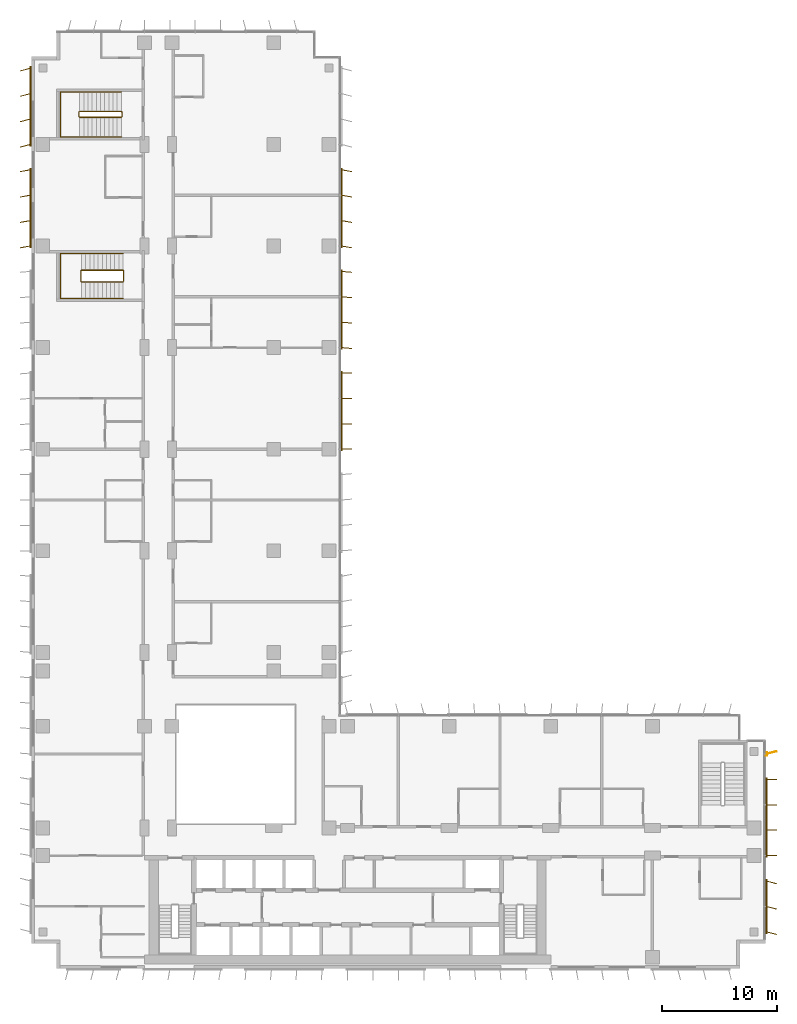
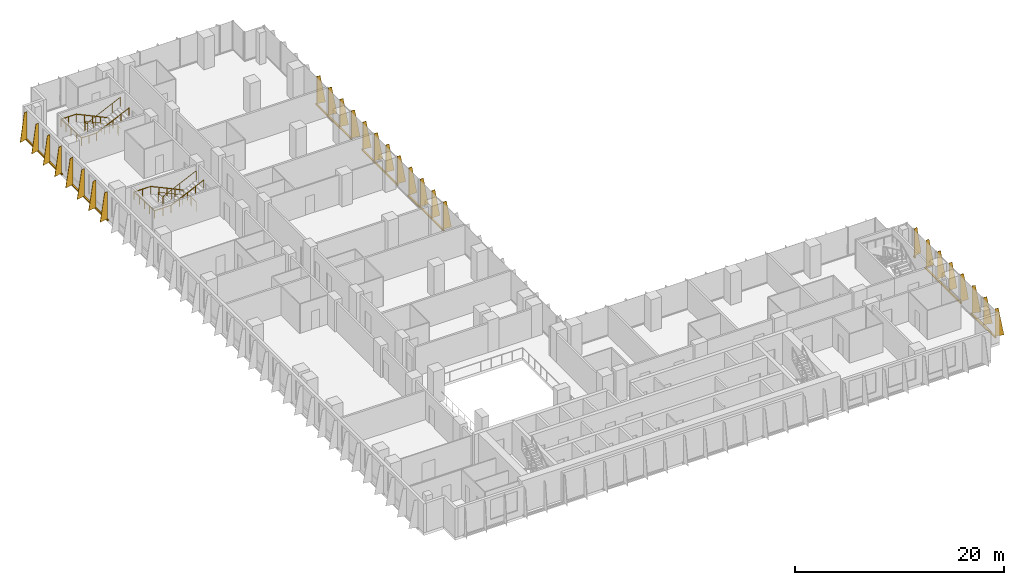
# One storey, part 21 of 22: 8 shading devices, 4 railings.
"""IFC4 building model written with IfcOpenShell, lengths in metres."""

from ifc_helpers import new_model, si_unit, direction, frame, origin, origin_2d, place, context, subcontext, project, spatial, polyline, rectangle, circle, outline, extrude, source, transform, mapped, material, layer, layer_set, type_object, element, save


model = new_model("IFC4")

# Units and contexts
model_context = context("Model", 3, precision=1e-05, world=origin(), true_north=direction((0.0, 1.0)))
body_context = subcontext(model_context, "Body", "Model", "MODEL_VIEW")
ifc_project = project(units=[si_unit("LENGTHUNIT", "METRE"), si_unit("AREAUNIT", "SQUARE_METRE"), si_unit("VOLUMEUNIT", "CUBIC_METRE"), si_unit("PLANEANGLEUNIT", "RADIAN"), si_unit("MASSUNIT", "GRAM", prefix="KILO")], contexts=[model_context])

# Site, building, storey
site_placement = place(None, origin())
site = spatial("IfcSite", under=ifc_project, at=site_placement, CompositionType="ELEMENT")
building_placement = place(site_placement, origin())
building = spatial("IfcBuilding", under=site, at=building_placement, Name="Kemantara Hotel Tower", CompositionType="ELEMENT")
storey_placement = place(building_placement, frame((0.0, 0.0, 125.89990234375)))
storey = spatial("IfcBuildingStorey", under=building, at=storey_placement, Name="L30", CompositionType="ELEMENT", Elevation=125.89990234375)

# Railings
ifc_material_1 = material(Name="Stainless steel balustrade", Category="steel")
railing_type_1 = type_object("IfcRailingType", Name="Stair guard 1100 mm", PredefinedType="GUARDRAIL", material=ifc_material_1)
railing_1_placement = place(storey_placement, frame((7.949951171875, 59.5, 3.7001953125)))
element("IfcRailing", 1, at=railing_1_placement, inside=storey, type_object=railing_type_1, Name="L30 ST4 stair guard 1", PredefinedType="GUARDRAIL", context=body_context, shape_type="SweptSolid", body=[
    extrude(circle(Radius=0.02392578125, at=origin_2d()), frame((0.0, 0.0, 1.076171875), z_axis=(-0.905994681025, 0.0, -0.423289071386), x_axis=(0.0, -1.0, 0.0)), (0.0, 0.0, 1.0), 3.973388671875),
    extrude(circle(Radius=0.02392578125, at=origin_2d()), frame((-3.599853515625, 0.0, -0.60595703125), z_axis=(-0.274243871929, 0.274243871929, -0.92172696468), x_axis=(-0.707106781187, -0.707106781187, 0.0)), (0.0, 0.0, 1.0), 0.1826171875),
    extrude(circle(Radius=0.02392578125, at=origin_2d()), frame((-3.64990234375, 0.050048828125, -0.77392578125), z_axis=(0.0, 1.0, 0.0), x_axis=(-1.0, 0.0, 0.0)), (0.0, 0.0, 1.0), 0.89990234375),
    extrude(circle(Radius=0.02392578125, at=origin_2d()), frame((-3.64990234375, 0.949951171875, -0.77392578125), z_axis=(0.707106781187, 0.707106781187, 0.0), x_axis=(-0.707106781187, 0.707106781187, 0.0)), (0.0, 0.0, 1.0), 0.07080078125),
    extrude(circle(Radius=0.02392578125, at=origin_2d()), frame((-3.599853515625, 1.0, -0.77392578125), z_axis=(0.905994681025, 0.0, -0.423289071386), x_axis=(0.0, 1.0, 0.0)), (0.0, 0.0, 1.0), 3.973388671875),
    extrude(circle(Radius=0.02392578125, at=origin_2d()), frame((0.0, 1.0, -2.4560546875), z_axis=(0.274243871929, -0.274243871929, -0.92172696468), x_axis=(0.707106781187, 0.707106781187, 0.0)), (0.0, 0.0, 1.0), 0.1826171875),
    extrude(circle(Radius=0.02392578125, at=origin_2d()), frame((0.050048828125, 0.949951171875, -2.6240234375), z_axis=(0.0, -1.0, 0.0), x_axis=(1.0, 0.0, 0.0)), (0.0, 0.0, 1.0), 0.89990234375),
    extrude(circle(Radius=0.02099609375, at=origin_2d()), origin(), (0.0, 0.0, 1.0), 1.052001953125),
    extrude(circle(Radius=0.02099609375, at=origin_2d()), frame((-0.89990234375, 0.0, -0.42041015625)), (0.0, 0.0, 1.0), 1.052001953125),
    extrude(circle(Radius=0.02099609375, at=origin_2d()), frame((-1.7998046875, 0.0, -0.8408203125)), (0.0, 0.0, 1.0), 1.052001953125),
    extrude(circle(Radius=0.02099609375, at=origin_2d()), frame((-2.699951171875, 0.0, -1.261474609375)), (0.0, 0.0, 1.0), 1.052001953125),
    extrude(circle(Radius=0.02099609375, at=origin_2d()), frame((-3.599853515625, 0.0, -1.681884765625)), (0.0, 0.0, 1.0), 1.052001953125),
    extrude(circle(Radius=0.02099609375, at=origin_2d()), frame((-3.64990234375, 0.050048828125, -1.85009765625)), (0.0, 0.0, 1.0), 1.052001953125),
    extrude(circle(Radius=0.02099609375, at=origin_2d()), frame((-3.64990234375, 0.949951171875, -1.85009765625)), (0.0, 0.0, 1.0), 1.052001953125),
    extrude(circle(Radius=0.02099609375, at=origin_2d()), frame((-3.599853515625, 1.0, -1.85009765625)), (0.0, 0.0, 1.0), 1.052001953125),
    extrude(circle(Radius=0.02099609375, at=origin_2d()), frame((-2.699951171875, 1.0, -2.2705078125)), (0.0, 0.0, 1.0), 1.052001953125),
    extrude(circle(Radius=0.02099609375, at=origin_2d()), frame((-1.7998046875, 1.0, -2.69091796875)), (0.0, 0.0, 1.0), 1.052001953125),
    extrude(circle(Radius=0.02099609375, at=origin_2d()), frame((-0.89990234375, 1.0, -3.111572265625)), (0.0, 0.0, 1.0), 1.052001953125),
    extrude(circle(Radius=0.02099609375, at=origin_2d()), frame((0.0, 1.0, -3.531982421875)), (0.0, 0.0, 1.0), 1.052001953125),
    extrude(circle(Radius=0.02099609375, at=origin_2d()), frame((0.050048828125, 0.949951171875, -3.7001953125)), (0.0, 0.0, 1.0), 1.052001953125),
    extrude(circle(Radius=0.02099609375, at=origin_2d()), frame((0.050048828125, 0.050048828125, -3.7001953125)), (0.0, 0.0, 1.0), 1.052001953125),
])
railing_2_placement = place(storey_placement, frame((7.800048828125, 73.75, 3.7001953125)))
element("IfcRailing", 2, at=railing_2_placement, inside=storey, type_object=railing_type_1, Name="L30 ST6 stair guard 1", PredefinedType="GUARDRAIL", context=body_context, shape_type="SweptSolid", body=[
    extrude(circle(Radius=0.02392578125, at=origin_2d()), frame((0.0, 0.0, 1.076171875), z_axis=(-0.906005689286, 0.0, -0.423265508849), x_axis=(0.0, -1.0, 0.0)), (0.0, 0.0, 1.0), 3.9736328125),
    extrude(circle(Radius=0.02392578125, at=origin_2d()), frame((-3.60009765625, 0.0, -0.60595703125), z_axis=(-0.274243871929, 0.274243871929, -0.92172696468), x_axis=(-0.707106781187, -0.707106781187, 0.0)), (0.0, 0.0, 1.0), 0.1826171875),
    extrude(circle(Radius=0.02392578125, at=origin_2d()), frame((-3.650146484375, 0.050048828125, -0.77392578125), z_axis=(0.0, 1.0, 0.0), x_axis=(-1.0, 0.0, 0.0)), (0.0, 0.0, 1.0), 0.39990234375),
    extrude(circle(Radius=0.02392578125, at=origin_2d()), frame((-3.650146484375, 0.449951171875, -0.77392578125), z_axis=(0.707106781187, 0.707106781187, 0.0), x_axis=(-0.707106781187, 0.707106781187, 0.0)), (0.0, 0.0, 1.0), 0.07080078125),
    extrude(circle(Radius=0.02392578125, at=origin_2d()), frame((-3.60009765625, 0.5, -0.77392578125), z_axis=(0.906005689286, 0.0, -0.423265508849), x_axis=(0.0, 1.0, 0.0)), (0.0, 0.0, 1.0), 3.9736328125),
    extrude(circle(Radius=0.02392578125, at=origin_2d()), frame((0.0, 0.5, -2.4560546875), z_axis=(0.274243871929, -0.274243871929, -0.92172696468), x_axis=(0.707106781187, 0.707106781187, 0.0)), (0.0, 0.0, 1.0), 0.1826171875),
    extrude(circle(Radius=0.02392578125, at=origin_2d()), frame((0.050048828125, 0.449951171875, -2.6240234375), z_axis=(0.0, -1.0, 0.0), x_axis=(1.0, 0.0, 0.0)), (0.0, 0.0, 1.0), 0.39990234375),
    extrude(circle(Radius=0.02099609375, at=origin_2d()), origin(), (0.0, 0.0, 1.0), 1.052001953125),
    extrude(circle(Radius=0.02099609375, at=origin_2d()), frame((-0.89990234375, 0.0, -0.42041015625)), (0.0, 0.0, 1.0), 1.052001953125),
    extrude(circle(Radius=0.02099609375, at=origin_2d()), frame((-1.800048828125, 0.0, -0.8408203125)), (0.0, 0.0, 1.0), 1.052001953125),
    extrude(circle(Radius=0.02099609375, at=origin_2d()), frame((-2.7001953125, 0.0, -1.261474609375)), (0.0, 0.0, 1.0), 1.052001953125),
    extrude(circle(Radius=0.02099609375, at=origin_2d()), frame((-3.60009765625, 0.0, -1.681884765625)), (0.0, 0.0, 1.0), 1.052001953125),
    extrude(circle(Radius=0.02099609375, at=origin_2d()), frame((-3.650146484375, 0.050048828125, -1.85009765625)), (0.0, 0.0, 1.0), 1.052001953125),
    extrude(circle(Radius=0.02099609375, at=origin_2d()), frame((-3.650146484375, 0.449951171875, -1.85009765625)), (0.0, 0.0, 1.0), 1.052001953125),
    extrude(circle(Radius=0.02099609375, at=origin_2d()), frame((-3.60009765625, 0.5, -1.85009765625)), (0.0, 0.0, 1.0), 1.052001953125),
    extrude(circle(Radius=0.02099609375, at=origin_2d()), frame((-2.7001953125, 0.5, -2.2705078125)), (0.0, 0.0, 1.0), 1.052001953125),
    extrude(circle(Radius=0.02099609375, at=origin_2d()), frame((-1.800048828125, 0.5, -2.69091796875)), (0.0, 0.0, 1.0), 1.052001953125),
    extrude(circle(Radius=0.02099609375, at=origin_2d()), frame((-0.89990234375, 0.5, -3.111572265625)), (0.0, 0.0, 1.0), 1.052001953125),
    extrude(circle(Radius=0.02099609375, at=origin_2d()), frame((0.0, 0.5, -3.531982421875)), (0.0, 0.0, 1.0), 1.052001953125),
    extrude(circle(Radius=0.02099609375, at=origin_2d()), frame((0.050048828125, 0.449951171875, -3.7001953125)), (0.0, 0.0, 1.0), 1.052001953125),
    extrude(circle(Radius=0.02099609375, at=origin_2d()), frame((0.050048828125, 0.050048828125, -3.7001953125)), (0.0, 0.0, 1.0), 1.052001953125),
])
railing_type_2 = type_object("IfcRailingType", Name="Stair handrail 900 mm", PredefinedType="HANDRAIL", material=ifc_material_1)
railing_3_placement = place(storey_placement, frame((7.949951171875, 61.949951171875, 0.168212890625)))
element("IfcRailing", 3, at=railing_3_placement, inside=storey, type_object=railing_type_2, Name="L30 ST4 stair handrail 1", PredefinedType="HANDRAIL", context=body_context, shape_type="SweptSolid", body=[
    extrude(circle(Radius=0.02392578125, at=origin_2d()), frame((0.0, 0.0, 0.8759765625), z_axis=(-0.905994681025, 0.0, 0.423289071386), x_axis=(0.0, -1.0, 0.0)), (0.0, 0.0, 1.0), 3.973388671875),
    extrude(circle(Radius=0.02392578125, at=origin_2d()), frame((-3.599853515625, 0.0, 2.5576171875), z_axis=(-1.0, 0.0, 0.0), x_axis=(0.0, -1.0, 0.0)), (0.0, 0.0, 1.0), 1.830078125),
    extrude(circle(Radius=0.02392578125, at=origin_2d()), frame((-5.429931640625, 0.0, 2.5576171875), z_axis=(0.0, -0.999071085748, 0.043092523981), x_axis=(1.0, 0.0, 0.0)), (0.0, 0.0, 1.0), 3.903564453125),
    extrude(circle(Radius=0.02392578125, at=origin_2d()), frame((-5.429931640625, -3.89990234375, 2.72607421875), z_axis=(1.0, 0.0, 0.0), x_axis=(0.0, 1.0, 0.0)), (0.0, 0.0, 1.0), 1.830078125),
    extrude(circle(Radius=0.02392578125, at=origin_2d()), frame((-3.599853515625, -3.89990234375, 2.72607421875), z_axis=(0.905994681025, 0.0, 0.423289071386), x_axis=(0.0, 1.0, 0.0)), (0.0, 0.0, 1.0), 3.973388671875),
    extrude(circle(Radius=0.02099609375, at=origin_2d()), origin(), (0.0, 0.0, 1.0), 0.851806640625),
    extrude(circle(Radius=0.02099609375, at=origin_2d()), frame((-0.89990234375, 0.0, 0.42041015625)), (0.0, 0.0, 1.0), 0.851806640625),
    extrude(circle(Radius=0.02099609375, at=origin_2d()), frame((-1.7998046875, 0.0, 0.8408203125)), (0.0, 0.0, 1.0), 0.851806640625),
    extrude(circle(Radius=0.02099609375, at=origin_2d()), frame((-2.699951171875, 0.0, 1.261474609375)), (0.0, 0.0, 1.0), 0.851806640625),
    extrude(circle(Radius=0.02099609375, at=origin_2d()), frame((-3.599853515625, 0.0, 1.681884765625)), (0.0, 0.0, 1.0), 0.851806640625),
    extrude(circle(Radius=0.02099609375, at=origin_2d()), frame((-4.514892578125, 0.0, 1.681884765625)), (0.0, 0.0, 1.0), 0.851806640625),
    extrude(circle(Radius=0.02099609375, at=origin_2d()), frame((-5.429931640625, 0.0, 1.681884765625)), (0.0, 0.0, 1.0), 0.851806640625),
    extrude(circle(Radius=0.02099609375, at=origin_2d()), frame((-5.429931640625, -0.97509765625, 1.723876953125)), (0.0, 0.0, 1.0), 0.851806640625),
    extrude(circle(Radius=0.02099609375, at=origin_2d()), frame((-5.429931640625, -1.949951171875, 1.76611328125)), (0.0, 0.0, 1.0), 0.851806640625),
    extrude(circle(Radius=0.02099609375, at=origin_2d()), frame((-5.429931640625, -2.9248046875, 1.80810546875)), (0.0, 0.0, 1.0), 0.851806640625),
    extrude(circle(Radius=0.02099609375, at=origin_2d()), frame((-5.429931640625, -3.89990234375, 1.85009765625)), (0.0, 0.0, 1.0), 0.851806640625),
    extrude(circle(Radius=0.02099609375, at=origin_2d()), frame((-4.514892578125, -3.89990234375, 1.85009765625)), (0.0, 0.0, 1.0), 0.851806640625),
    extrude(circle(Radius=0.02099609375, at=origin_2d()), frame((-3.599853515625, -3.89990234375, 1.85009765625)), (0.0, 0.0, 1.0), 0.851806640625),
    extrude(circle(Radius=0.02099609375, at=origin_2d()), frame((-2.699951171875, -3.89990234375, 2.2705078125)), (0.0, 0.0, 1.0), 0.851806640625),
    extrude(circle(Radius=0.02099609375, at=origin_2d()), frame((-1.7998046875, -3.89990234375, 2.69091796875)), (0.0, 0.0, 1.0), 0.851806640625),
    extrude(circle(Radius=0.02099609375, at=origin_2d()), frame((-0.89990234375, -3.89990234375, 3.111572265625)), (0.0, 0.0, 1.0), 0.851806640625),
    extrude(circle(Radius=0.02099609375, at=origin_2d()), frame((0.0, -3.89990234375, 3.531982421875)), (0.0, 0.0, 1.0), 0.851806640625),
])
railing_4_placement = place(storey_placement, frame((7.800048828125, 75.949951171875, 0.168212890625)))
element("IfcRailing", 4, at=railing_4_placement, inside=storey, type_object=railing_type_2, Name="L30 ST6 stair handrail 1", PredefinedType="HANDRAIL", context=body_context, shape_type="SweptSolid", body=[
    extrude(circle(Radius=0.02392578125, at=origin_2d()), frame((0.0, 0.0, 0.8759765625), z_axis=(-0.906005689286, 0.0, 0.423265508849), x_axis=(0.0, -1.0, 0.0)), (0.0, 0.0, 1.0), 3.9736328125),
    extrude(circle(Radius=0.02392578125, at=origin_2d()), frame((-3.60009765625, 0.0, 2.5576171875), z_axis=(-1.0, 0.0, 0.0), x_axis=(0.0, -1.0, 0.0)), (0.0, 0.0, 1.0), 1.679931640625),
    extrude(circle(Radius=0.02392578125, at=origin_2d()), frame((-5.280029296875, 0.0, 2.5576171875), z_axis=(0.0, -0.999071085748, 0.043092523981), x_axis=(1.0, 0.0, 0.0)), (0.0, 0.0, 1.0), 3.903564453125),
    extrude(circle(Radius=0.02392578125, at=origin_2d()), frame((-5.280029296875, -3.89990234375, 2.72607421875), z_axis=(1.0, 0.0, 0.0), x_axis=(0.0, 1.0, 0.0)), (0.0, 0.0, 1.0), 1.679931640625),
    extrude(circle(Radius=0.02392578125, at=origin_2d()), frame((-3.60009765625, -3.89990234375, 2.72607421875), z_axis=(0.906005689286, 0.0, 0.423265508849), x_axis=(0.0, 1.0, 0.0)), (0.0, 0.0, 1.0), 3.9736328125),
    extrude(circle(Radius=0.02099609375, at=origin_2d()), origin(), (0.0, 0.0, 1.0), 0.851806640625),
    extrude(circle(Radius=0.02099609375, at=origin_2d()), frame((-0.89990234375, 0.0, 0.42041015625)), (0.0, 0.0, 1.0), 0.851806640625),
    extrude(circle(Radius=0.02099609375, at=origin_2d()), frame((-1.800048828125, 0.0, 0.8408203125)), (0.0, 0.0, 1.0), 0.851806640625),
    extrude(circle(Radius=0.02099609375, at=origin_2d()), frame((-2.7001953125, 0.0, 1.261474609375)), (0.0, 0.0, 1.0), 0.851806640625),
    extrude(circle(Radius=0.02099609375, at=origin_2d()), frame((-3.60009765625, 0.0, 1.681884765625)), (0.0, 0.0, 1.0), 0.851806640625),
    extrude(circle(Radius=0.02099609375, at=origin_2d()), frame((-4.43994140625, 0.0, 1.681884765625)), (0.0, 0.0, 1.0), 0.851806640625),
    extrude(circle(Radius=0.02099609375, at=origin_2d()), frame((-5.280029296875, 0.0, 1.681884765625)), (0.0, 0.0, 1.0), 0.851806640625),
    extrude(circle(Radius=0.02099609375, at=origin_2d()), frame((-5.280029296875, -0.97509765625, 1.723876953125)), (0.0, 0.0, 1.0), 0.851806640625),
    extrude(circle(Radius=0.02099609375, at=origin_2d()), frame((-5.280029296875, -1.949951171875, 1.76611328125)), (0.0, 0.0, 1.0), 0.851806640625),
    extrude(circle(Radius=0.02099609375, at=origin_2d()), frame((-5.280029296875, -2.9248046875, 1.80810546875)), (0.0, 0.0, 1.0), 0.851806640625),
    extrude(circle(Radius=0.02099609375, at=origin_2d()), frame((-5.280029296875, -3.89990234375, 1.85009765625)), (0.0, 0.0, 1.0), 0.851806640625),
    extrude(circle(Radius=0.02099609375, at=origin_2d()), frame((-4.43994140625, -3.89990234375, 1.85009765625)), (0.0, 0.0, 1.0), 0.851806640625),
    extrude(circle(Radius=0.02099609375, at=origin_2d()), frame((-3.60009765625, -3.89990234375, 1.85009765625)), (0.0, 0.0, 1.0), 0.851806640625),
    extrude(circle(Radius=0.02099609375, at=origin_2d()), frame((-2.7001953125, -3.89990234375, 2.2705078125)), (0.0, 0.0, 1.0), 0.851806640625),
    extrude(circle(Radius=0.02099609375, at=origin_2d()), frame((-1.800048828125, -3.89990234375, 2.69091796875)), (0.0, 0.0, 1.0), 0.851806640625),
    extrude(circle(Radius=0.02099609375, at=origin_2d()), frame((-0.89990234375, -3.89990234375, 3.111572265625)), (0.0, 0.0, 1.0), 0.851806640625),
    extrude(circle(Radius=0.02099609375, at=origin_2d()), frame((0.0, -3.89990234375, 3.531982421875)), (0.0, 0.0, 1.0), 0.851806640625),
])

# Shading devices
ifc_material_2 = material(Name="Perforated aluminium plate 4 mm bronze anodised", Category="aluminium")
ifc_layer_1 = layer(ifc_material_2, 0.0400390625)
ifc_layer_set_1 = layer_set([ifc_layer_1], Name="Perforated aluminium plate 4 mm bronze anodised")
shading_device_type_1 = type_object("IfcShadingDeviceType", Name="SCREEN FIN CASSETTE, 3 BLADES AT -15.0 DEG, 3200 HIGH", PredefinedType="USERDEFINED", material=ifc_layer_set_1)
shared_shape_1 = source(origin(), body_context, "Body", "SweptSolid", [
    extrude(rectangle(XDim=4.699951171875, YDim=0.14990234375, at=origin_2d()), frame((2.199951171875, -0.074951171875, -0.14990234375), z_axis=(0.0, 0.0, 1.0), x_axis=(1.0, 0.0, 0.0)), (0.0, 0.0, 1.0), 0.14990234375),
    extrude(outline(polyline([(0.0, 0.0), (0.89990234375, 0.0), (0.35009765625, 3.199951171875), (0.0, 3.199951171875), (0.0, 0.0)])), frame((0.019287109375, -0.080078125, 0.0), z_axis=(-0.966437683387, 0.256901156343, 0.0), x_axis=(-0.256901156343, -0.966437683387, 0.0)), (0.0, 0.0, 1.0), 0.039794921875),
    extrude(outline(polyline([(0.0, 0.0), (0.89990234375, 0.0), (0.35009765625, 3.199951171875), (0.0, 3.199951171875), (0.0, 0.0)])), frame((2.21923828125, -0.080078125, 0.0), z_axis=(-0.966437683387, 0.256901156343, 0.0), x_axis=(-0.256901156343, -0.966437683387, 0.0)), (0.0, 0.0, 1.0), 0.039794921875),
    extrude(outline(polyline([(0.0, 0.0), (0.89990234375, 0.0), (0.35009765625, 3.199951171875), (0.0, 3.199951171875), (0.0, 0.0)])), frame((4.41943359375, -0.080078125, 0.0), z_axis=(-0.966837822169, 0.255391122837, 0.0), x_axis=(-0.255391122837, -0.966837822169, 0.0)), (0.0, 0.0, 1.0), 0.0400390625),
])
shading_device_1_placement = place(storey_placement, frame((63.60009765625, 3.199951171875, 0.10009765625), z_axis=(0.0, 0.0, 1.0), x_axis=(0.0, 1.0, 0.0)))
element("IfcShadingDevice", 5, at=shading_device_1_placement, inside=storey, type_object=shading_device_type_1, Name="SCREEN FIN CASSETTE L30 T2-R10-1", ObjectType="SCREEN FIN", PredefinedType="USERDEFINED", context=body_context, shape_type="MappedRepresentation", body=[
    mapped(shared_shape_1, transform((0.0, 0.0, 0.0))),
])
ifc_layer_2 = layer(ifc_material_2, 0.0400390625)
ifc_layer_set_2 = layer_set([ifc_layer_2], Name="Perforated aluminium plate 4 mm bronze anodised")
shading_device_type_2 = type_object("IfcShadingDeviceType", Name="SCREEN FIN CASSETTE, 4 BLADES AT -10.0 DEG, 3200 HIGH", PredefinedType="USERDEFINED", material=ifc_layer_set_2)
shared_shape_2 = source(origin(), body_context, "Body", "SweptSolid", [
    extrude(rectangle(XDim=6.89990234375, YDim=0.14990234375, at=origin_2d()), frame((3.300048828125, -0.074951171875, -0.14990234375), z_axis=(0.0, 0.0, 1.0), x_axis=(1.0, 0.0, 0.0)), (0.0, 0.0, 1.0), 0.14990234375),
    extrude(outline(polyline([(0.0, 0.0), (0.89990234375, 0.0), (0.35009765625, 3.199951171875), (0.0, 3.199951171875), (0.0, 0.0)])), frame((0.019775390625, -0.078369140625, 0.0), z_axis=(-0.985389793052, 0.170314285219, 0.0), x_axis=(-0.170314285219, -0.985389793052, 0.0)), (0.0, 0.0, 1.0), 0.0400390625),
    extrude(outline(polyline([(0.0, 0.0), (0.89990234375, 0.0), (0.35009765625, 3.199951171875), (0.0, 3.199951171875), (0.0, 0.0)])), frame((2.2197265625, -0.078369140625, 0.0), z_axis=(-0.98521175482, 0.171341174751, 0.0), x_axis=(-0.171341174751, -0.98521175482, 0.0)), (0.0, 0.0, 1.0), 0.039794921875),
    extrude(outline(polyline([(0.0, 0.0), (0.89990234375, 0.0), (0.35009765625, 3.199951171875), (0.0, 3.199951171875), (0.0, 0.0)])), frame((4.419677734375, -0.078369140625, 0.0), z_axis=(-0.98521175482, 0.171341174751, 0.0), x_axis=(-0.171341174751, -0.98521175482, 0.0)), (0.0, 0.0, 1.0), 0.039794921875),
    extrude(outline(polyline([(0.0, 0.0), (0.89990234375, 0.0), (0.35009765625, 3.199951171875), (0.0, 3.199951171875), (0.0, 0.0)])), frame((6.61962890625, -0.078369140625, 0.0), z_axis=(-0.98521175482, 0.171341174751, 0.0), x_axis=(-0.171341174751, -0.98521175482, 0.0)), (0.0, 0.0, 1.0), 0.039794921875),
])
shading_device_2_placement = place(storey_placement, frame((26.800048828125, 62.60009765625, 0.10009765625), z_axis=(0.0, 0.0, 1.0), x_axis=(0.0, 1.0, 0.0)))
element("IfcShadingDevice", 6, at=shading_device_2_placement, inside=storey, type_object=shading_device_type_2, Name="SCREEN FIN CASSETTE L30 T2-R14-6", ObjectType="SCREEN FIN", PredefinedType="USERDEFINED", context=body_context, shape_type="MappedRepresentation", body=[
    mapped(shared_shape_2, transform((0.0, 0.0, 0.0))),
])
ifc_layer_3 = layer(ifc_material_2, 0.0400390625)
ifc_layer_set_3 = layer_set([ifc_layer_3], Name="Perforated aluminium plate 4 mm bronze anodised")
shading_device_type_3 = type_object("IfcShadingDeviceType", Name="SCREEN FIN CASSETTE, 4 BLADES AT -5.0 DEG, 3200 HIGH", PredefinedType="USERDEFINED", material=ifc_layer_set_3)
shared_shape_3 = source(origin(), body_context, "Body", "SweptSolid", [
    extrude(rectangle(XDim=6.89990234375, YDim=0.14990234375, at=origin_2d()), frame((3.300048828125, -0.074951171875, -0.14990234375), z_axis=(0.0, 0.0, 1.0), x_axis=(1.0, 0.0, 0.0)), (0.0, 0.0, 1.0), 0.14990234375),
    extrude(outline(polyline([(0.0, 0.0), (0.89990234375, 0.0), (0.35009765625, 3.199951171875), (0.0, 3.199951171875), (0.0, 0.0)])), frame((0.02001953125, -0.07666015625, 0.0), z_axis=(-0.996376129781, 0.085056498884, 0.0), x_axis=(-0.085056498884, -0.996376129781, 0.0)), (0.0, 0.0, 1.0), 0.040283203125),
    extrude(outline(polyline([(0.0, 0.0), (0.89990234375, 0.0), (0.35009765625, 3.199951171875), (0.0, 3.199951171875), (0.0, 0.0)])), frame((2.219970703125, -0.07666015625, 0.0), z_axis=(-0.996331773833, 0.085574508182, 0.0), x_axis=(-0.085574508182, -0.996331773833, 0.0)), (0.0, 0.0, 1.0), 0.0400390625),
    extrude(outline(polyline([(0.0, 0.0), (0.89990234375, 0.0), (0.35009765625, 3.199951171875), (0.0, 3.199951171875), (0.0, 0.0)])), frame((4.419921875, -0.07666015625, 0.0), z_axis=(-0.996331773833, 0.085574508182, 0.0), x_axis=(-0.085574508182, -0.996331773833, 0.0)), (0.0, 0.0, 1.0), 0.0400390625),
    extrude(outline(polyline([(0.0, 0.0), (0.89990234375, 0.0), (0.35009765625, 3.199951171875), (0.0, 3.199951171875), (0.0, 0.0)])), frame((6.619873046875, -0.07666015625, 0.0), z_axis=(-0.996331773833, 0.085574508182, 0.0), x_axis=(-0.085574508182, -0.996331773833, 0.0)), (0.0, 0.0, 1.0), 0.0400390625),
])
shading_device_3_placement = place(storey_placement, frame((26.800048828125, 53.800048828125, 0.10009765625), z_axis=(0.0, 0.0, 1.0), x_axis=(0.0, 1.0, 0.0)))
element("IfcShadingDevice", 7, at=shading_device_3_placement, inside=storey, type_object=shading_device_type_3, Name="SCREEN FIN CASSETTE L30 T2-R14-5", ObjectType="SCREEN FIN", PredefinedType="USERDEFINED", context=body_context, shape_type="MappedRepresentation", body=[
    mapped(shared_shape_3, transform((0.0, 0.0, 0.0))),
])
ifc_layer_4 = layer(ifc_material_2, 0.0400390625)
ifc_layer_set_4 = layer_set([ifc_layer_4], Name="Perforated aluminium plate 4 mm bronze anodised")
shading_device_type_4 = type_object("IfcShadingDeviceType", Name="SCREEN FIN CASSETTE, 4 BLADES AT +0.0 DEG, 3200 HIGH", PredefinedType="USERDEFINED", material=ifc_layer_set_4)
shared_shape_4 = source(origin(), body_context, "Body", "SweptSolid", [
    extrude(rectangle(XDim=6.89990234375, YDim=0.14990234375, at=origin_2d()), frame((3.300048828125, -0.074951171875, -0.14990234375), z_axis=(0.0, 0.0, 1.0), x_axis=(1.0, 0.0, 0.0)), (0.0, 0.0, 1.0), 0.14990234375),
    extrude(outline(polyline([(0.0, 0.0), (0.89990234375, 0.0), (0.35009765625, 3.199951171875), (0.0, 3.199951171875), (0.0, 0.0)])), frame((0.02001953125, -0.074951171875, 0.0), z_axis=(-1.0, 0.0, 0.0), x_axis=(0.0, -1.0, 0.0)), (0.0, 0.0, 1.0), 0.0400390625),
    extrude(outline(polyline([(0.0, 0.0), (0.89990234375, 0.0), (0.35009765625, 3.199951171875), (0.0, 3.199951171875), (0.0, 0.0)])), frame((2.219970703125, -0.074951171875, 0.0), z_axis=(-1.0, 0.0, 0.0), x_axis=(0.0, -1.0, 0.0)), (0.0, 0.0, 1.0), 0.0400390625),
    extrude(outline(polyline([(0.0, 0.0), (0.89990234375, 0.0), (0.35009765625, 3.199951171875), (0.0, 3.199951171875), (0.0, 0.0)])), frame((4.419921875, -0.074951171875, 0.0), z_axis=(-1.0, 0.0, 0.0), x_axis=(0.0, -1.0, 0.0)), (0.0, 0.0, 1.0), 0.0400390625),
    extrude(outline(polyline([(0.0, 0.0), (0.89990234375, 0.0), (0.35009765625, 3.199951171875), (0.0, 3.199951171875), (0.0, 0.0)])), frame((6.6201171875, -0.074951171875, 0.0), z_axis=(-1.0, 0.0, 0.0), x_axis=(0.0, -1.0, 0.0)), (0.0, 0.0, 1.0), 0.0400390625),
])
for number, where, z_axis, x_axis, name in (
    (8, (63.60009765625, 9.800048828125, 0.10009765625), (0.0, 0.0, 1.0), (0.0, 1.0, 0.0), "SCREEN FIN CASSETTE L30 T2-R10-2"),
    (9, (26.800048828125, 45.0, 0.10009765625), (0.0, 0.0, 1.0), (0.0, 1.0, 0.0), "SCREEN FIN CASSETTE L30 T2-R14-4"),
):
    element("IfcShadingDevice", number, at=place(storey_placement, frame(where, z_axis=z_axis, x_axis=x_axis)), inside=storey, type_object=shading_device_type_4, Name=name, ObjectType="SCREEN FIN", PredefinedType="USERDEFINED", context=body_context, shape_type="MappedRepresentation", body=[
        mapped(shared_shape_4, transform((0.0, 0.0, 0.0))),
    ])
ifc_layer_5 = layer(ifc_material_2, 0.0400390625)
ifc_layer_set_5 = layer_set([ifc_layer_5], Name="Perforated aluminium plate 4 mm bronze anodised")
shading_device_type_5 = type_object("IfcShadingDeviceType", Name="SCREEN FIN CASSETTE, 4 BLADES AT +10.0 DEG, 3200 HIGH", PredefinedType="USERDEFINED", material=ifc_layer_set_5)
shared_shape_5 = source(origin(), body_context, "Body", "SweptSolid", [
    extrude(rectangle(XDim=6.89990234375, YDim=0.14990234375, at=origin_2d()), frame((3.300048828125, -0.074951171875, -0.14990234375), z_axis=(0.0, 0.0, 1.0), x_axis=(1.0, 0.0, 0.0)), (0.0, 0.0, 1.0), 0.14990234375),
    extrude(outline(polyline([(0.0, 0.0), (0.89990234375, 0.0), (0.35009765625, 3.199951171875), (0.0, 3.199951171875), (0.0, 0.0)])), frame((0.019775390625, -0.071533203125, 0.0), z_axis=(-0.985389793052, -0.170314285219, 0.0), x_axis=(0.170314285219, -0.985389793052, 0.0)), (0.0, 0.0, 1.0), 0.0400390625),
    extrude(outline(polyline([(0.0, 0.0), (0.89990234375, 0.0), (0.35009765625, 3.199951171875), (0.0, 3.199951171875), (0.0, 0.0)])), frame((2.2197265625, -0.071533203125, 0.0), z_axis=(-0.98521175482, -0.171341174751, 0.0), x_axis=(0.171341174751, -0.98521175482, 0.0)), (0.0, 0.0, 1.0), 0.039794921875),
    extrude(outline(polyline([(0.0, 0.0), (0.89990234375, 0.0), (0.35009765625, 3.199951171875), (0.0, 3.199951171875), (0.0, 0.0)])), frame((4.419677734375, -0.071533203125, 0.0), z_axis=(-0.98521175482, -0.171341174751, 0.0), x_axis=(0.171341174751, -0.98521175482, 0.0)), (0.0, 0.0, 1.0), 0.039794921875),
    extrude(outline(polyline([(0.0, 0.0), (0.89990234375, 0.0), (0.35009765625, 3.199951171875), (0.0, 3.199951171875), (0.0, 0.0)])), frame((6.61962890625, -0.071533203125, 0.0), z_axis=(-0.98521175482, -0.171341174751, 0.0), x_axis=(0.171341174751, -0.98521175482, 0.0)), (0.0, 0.0, 1.0), 0.039794921875),
])
shading_device_4_placement = place(storey_placement, frame((0.0, 69.199951171875, 0.10009765625), z_axis=(0.0, 0.0, 1.0), x_axis=(0.0, -1.0, 0.0)))
element("IfcShadingDevice", 10, at=shading_device_4_placement, inside=storey, type_object=shading_device_type_5, Name="SCREEN FIN CASSETTE L30 T2-R04-2", ObjectType="SCREEN FIN", PredefinedType="USERDEFINED", context=body_context, shape_type="MappedRepresentation", body=[
    mapped(shared_shape_5, transform((0.0, 0.0, 0.0))),
])
ifc_layer_6 = layer(ifc_material_2, 0.0400390625)
ifc_layer_set_6 = layer_set([ifc_layer_6], Name="Perforated aluminium plate 4 mm bronze anodised")
shading_device_type_6 = type_object("IfcShadingDeviceType", Name="SCREEN FIN CASSETTE, 4 BLADES AT +15.0 DEG, 3200 HIGH", PredefinedType="USERDEFINED", material=ifc_layer_set_6)
shared_shape_6 = source(origin(), body_context, "Body", "SweptSolid", [
    extrude(rectangle(XDim=6.89990234375, YDim=0.14990234375, at=origin_2d()), frame((3.300048828125, -0.074951171875, -0.14990234375), z_axis=(0.0, 0.0, 1.0), x_axis=(1.0, 0.0, 0.0)), (0.0, 0.0, 1.0), 0.14990234375),
    extrude(outline(polyline([(0.0, 0.0), (0.89990234375, 0.0), (0.35009765625, 3.199951171875), (0.0, 3.199951171875), (0.0, 0.0)])), frame((0.019287109375, -0.06982421875, 0.0), z_axis=(-0.966437683387, -0.256901156343, 0.0), x_axis=(0.256901156343, -0.966437683387, 0.0)), (0.0, 0.0, 1.0), 0.039794921875),
    extrude(outline(polyline([(0.0, 0.0), (0.89990234375, 0.0), (0.35009765625, 3.199951171875), (0.0, 3.199951171875), (0.0, 0.0)])), frame((2.21923828125, -0.06982421875, 0.0), z_axis=(-0.966437683387, -0.256901156343, 0.0), x_axis=(0.256901156343, -0.966437683387, 0.0)), (0.0, 0.0, 1.0), 0.039794921875),
    extrude(outline(polyline([(0.0, 0.0), (0.89990234375, 0.0), (0.35009765625, 3.199951171875), (0.0, 3.199951171875), (0.0, 0.0)])), frame((4.41943359375, -0.06982421875, 0.0), z_axis=(-0.966837822169, -0.255391122837, 0.0), x_axis=(0.255391122837, -0.966837822169, 0.0)), (0.0, 0.0, 1.0), 0.0400390625),
    extrude(outline(polyline([(0.0, 0.0), (0.89990234375, 0.0), (0.35009765625, 3.199951171875), (0.0, 3.199951171875), (0.0, 0.0)])), frame((6.619384765625, -0.06982421875, 0.0), z_axis=(-0.966837822169, -0.255391122837, 0.0), x_axis=(0.255391122837, -0.966837822169, 0.0)), (0.0, 0.0, 1.0), 0.0400390625),
])
shading_device_5_placement = place(storey_placement, frame((0.0, 78.0, 0.10009765625), z_axis=(0.0, 0.0, 1.0), x_axis=(0.0, -1.0, 0.0)))
element("IfcShadingDevice", 11, at=shading_device_5_placement, inside=storey, type_object=shading_device_type_6, Name="SCREEN FIN CASSETTE L30 T2-R04-1", ObjectType="SCREEN FIN", PredefinedType="USERDEFINED", context=body_context, shape_type="MappedRepresentation", body=[
    mapped(shared_shape_6, transform((0.0, 0.0, 0.0))),
])
ifc_layer_7 = layer(ifc_material_2, 0.0400390625)
ifc_layer_set_7 = layer_set([ifc_layer_7], Name="Perforated aluminium plate 4 mm bronze anodised")
shading_device_type_7 = type_object("IfcShadingDeviceType", Name="SCREEN FIN CASSETTE, 1 BLADE AT +15.0 DEG, 3200 HIGH", PredefinedType="USERDEFINED", material=ifc_layer_set_7)
shared_shape_7 = source(origin(), body_context, "Body", "SweptSolid", [
    extrude(rectangle(XDim=0.300048828125, YDim=0.14990234375, at=origin_2d()), frame((0.0, -0.074951171875, -0.14990234375), z_axis=(0.0, 0.0, 1.0), x_axis=(1.0, 0.0, 0.0)), (0.0, 0.0, 1.0), 0.14990234375),
    extrude(outline(polyline([(0.0, 0.0), (0.89990234375, 0.0), (0.35009765625, 3.199951171875), (0.0, 3.199951171875), (0.0, 0.0)])), frame((0.019287109375, -0.06982421875, 0.0), z_axis=(-0.966437683387, -0.256901156343, 0.0), x_axis=(0.256901156343, -0.966437683387, 0.0)), (0.0, 0.0, 1.0), 0.039794921875),
])
shading_device_6_placement = place(storey_placement, frame((63.60009765625, 18.60009765625, 0.10009765625), z_axis=(0.0, 0.0, 1.0), x_axis=(0.0, 1.0, 0.0)))
element("IfcShadingDevice", 12, at=shading_device_6_placement, inside=storey, type_object=shading_device_type_7, Name="SCREEN FIN CASSETTE L30 T2-R10-3", ObjectType="SCREEN FIN", PredefinedType="USERDEFINED", context=body_context, shape_type="MappedRepresentation", body=[
    mapped(shared_shape_7, transform((0.0, 0.0, 0.0))),
])

save(model, "model.ifc")
